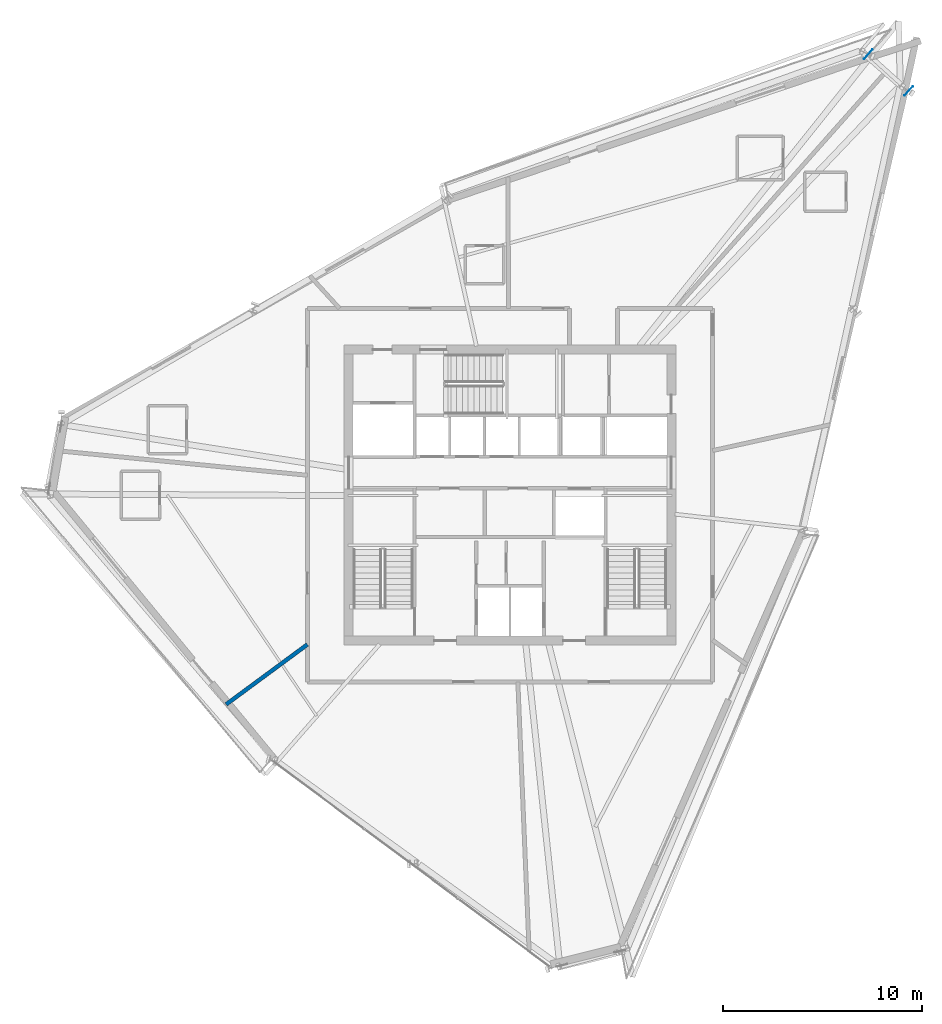
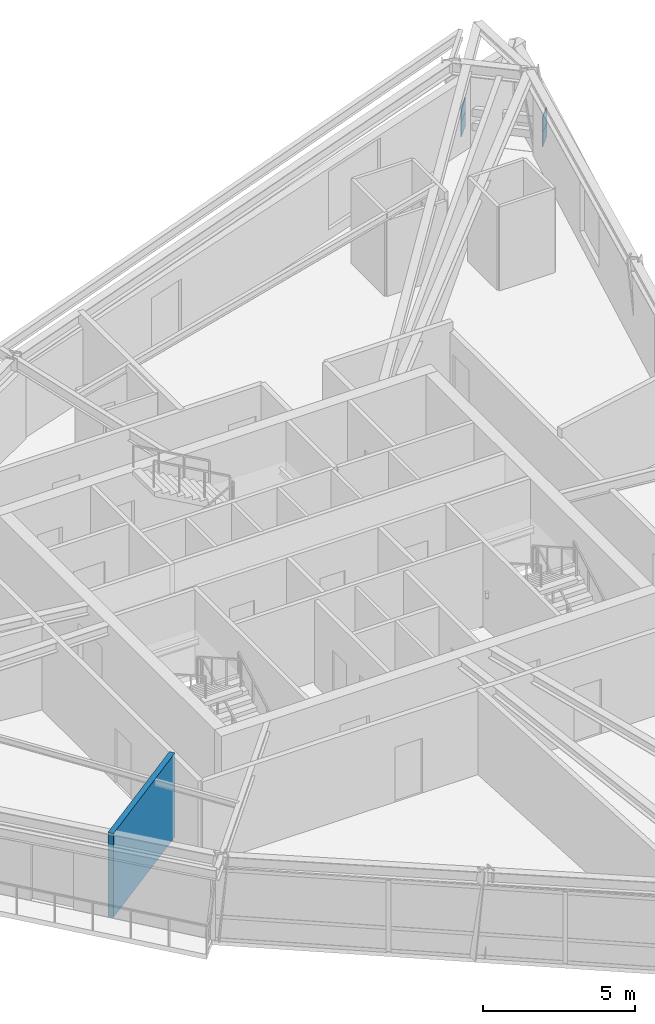
# One storey, part 7 of 14: 4 plates, 1 wall.
"""IFC4 building model written with IfcOpenShell, lengths in metres."""

from ifc_helpers import new_model, si_unit, direction, frame, frame_2d, origin, origin_2d, place, context, subcontext, project, spatial, rectangle, extrude, source, transform, mapped, material, layer, layer_set, type_object, element, save


model = new_model("IFC4")

# Units and contexts
model_context = context("Model", 3, precision=1e-05, world=origin(), true_north=direction((0.0, 1.0)))
body_context = subcontext(model_context, "Body", "Model", "MODEL_VIEW")
ifc_project = project(units=[si_unit("LENGTHUNIT", "METRE"), si_unit("AREAUNIT", "SQUARE_METRE"), si_unit("VOLUMEUNIT", "CUBIC_METRE"), si_unit("PLANEANGLEUNIT", "RADIAN"), si_unit("MASSUNIT", "GRAM", prefix="KILO")], contexts=[model_context])

# Site, building, storey
site_placement = place(None, origin())
site = spatial("IfcSite", under=ifc_project, at=site_placement, CompositionType="ELEMENT")
building_placement = place(site_placement, origin())
building = spatial("IfcBuilding", under=site, at=building_placement, Name="Olszyna Solenne Hotel", CompositionType="ELEMENT")
storey_placement = place(building_placement, frame((0.0, 0.0, 230.89990234375)))
storey = spatial("IfcBuildingStorey", under=building, at=storey_placement, Name="L61", CompositionType="ELEMENT", Elevation=230.89990234375)

# Plates
ifc_material_1 = material(Name="Steel S460M", Category="steel")
plate_type = type_object("IfcPlateType", Name="GP-CAP2", PredefinedType="USERDEFINED", material=ifc_material_1)
shared_shape = source(origin(), body_context, "Body", "SweptSolid", [
    extrude(rectangle(XDim=0.030029296875, YDim=0.6201171875, at=origin_2d()), origin(), (0.0, 0.0, 1.0), 0.6201171875),
])
for number, where, z_axis, x_axis, name in (
    (1, (58.071044921875, 46.951171875, 1.0400390625), (0.0, 0.0, 1.0), (-0.741390500932, 0.671073859667, 0.0), "Hollow section end-cap plate GP-CAP2 CP-PR-M-L61-PR1-1"),
    (2, (56.034912109375, 48.794189453125, 1.0400390625), (0.0, 0.0, 1.0), (-0.741390500932, 0.671073859667, 0.0), "Hollow section end-cap plate GP-CAP2 CP-PR-M-L61-PR1-2"),
    (3, (58.071044921875, 46.951171875, 0.469970703125), (0.0, 0.0, 1.0), (-0.741390500932, 0.671073859667, 0.0), "Hollow section end-cap plate GP-CAP2 CP-PR-M-L61-PR2-1"),
    (4, (56.034912109375, 48.794189453125, 0.469970703125), (0.0, 0.0, 1.0), (-0.741390500932, 0.671073859667, 0.0), "Hollow section end-cap plate GP-CAP2 CP-PR-M-L61-PR2-2"),
):
    element("IfcPlate", number, at=place(storey_placement, frame(where, z_axis=z_axis, x_axis=x_axis)), inside=storey, type_object=plate_type, Name=name, ObjectType="GUSSET_PLATE", PredefinedType="USERDEFINED", context=body_context, shape_type="MappedRepresentation", body=[
        mapped(shared_shape, transform((0.0, 0.0, 0.0), x_axis=(1.0, 0.0, 0.0), y_axis=(0.0, 1.0, 0.0), z_axis=(0.0, 0.0, 1.0), scale=1.0)),
    ])

# Wall
ifc_material_2 = material(Name="Acoustic gypsum partition", Category="gypsum")
ifc_layer = layer(ifc_material_2, 0.199951171875, Name="Acoustic gypsum partition")
ifc_layer_set = layer_set([ifc_layer], Name="Acoustic gypsum partition")
wall_type = type_object("IfcWallType", Name="WL-PT200", PredefinedType="PARTITIONING", material=ifc_layer_set)
wall_placement = place(storey_placement, frame((27.800048828125, 19.079833984375, 0.0), z_axis=(0.0, 0.0, 1.0), x_axis=(-0.804918187544, -0.593385803134, 0.0)))
element("IfcWall", 5, at=wall_placement, inside=storey, type_object=wall_type, Name="Interior acoustic partition WL-PT200 PW-L61-3369", PredefinedType="PARTITIONING", context=body_context, shape_type="SweptSolid", body=[
    extrude(rectangle(XDim=5.0830078125, YDim=0.199951171875, at=frame_2d((2.54150390625, 0.0))), origin(), (0.0, 0.0, 1.0), 3.380126953125),
])

save(model, "model.ifc")
